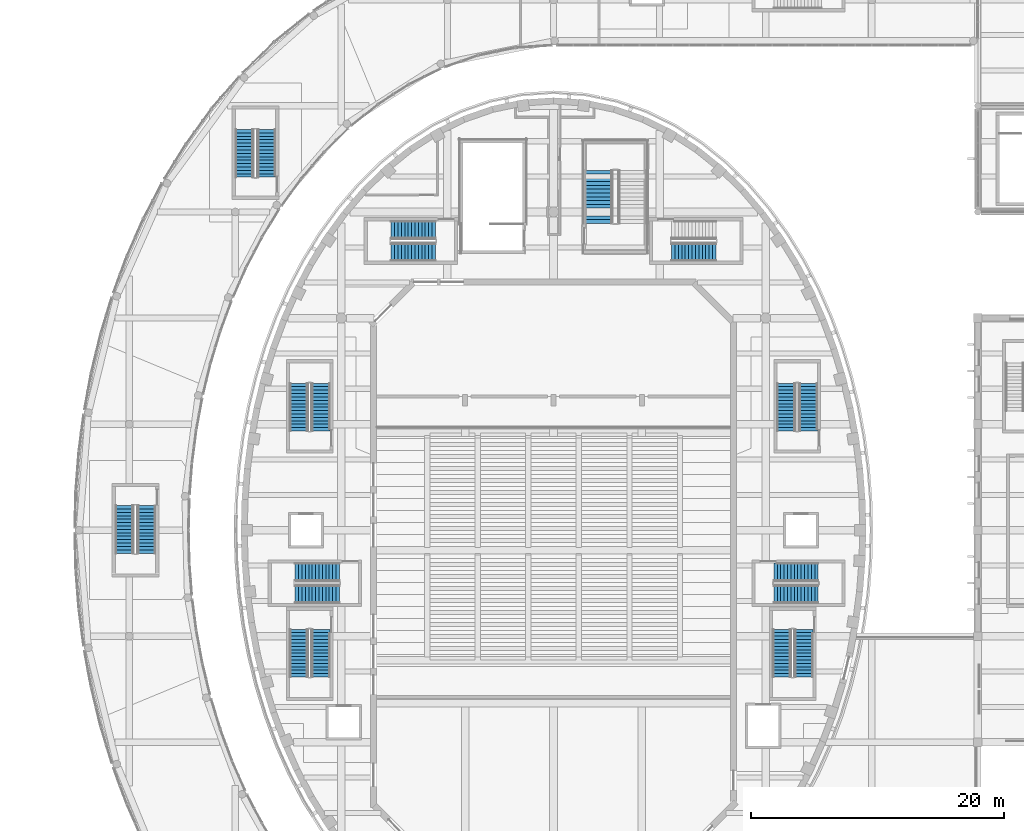
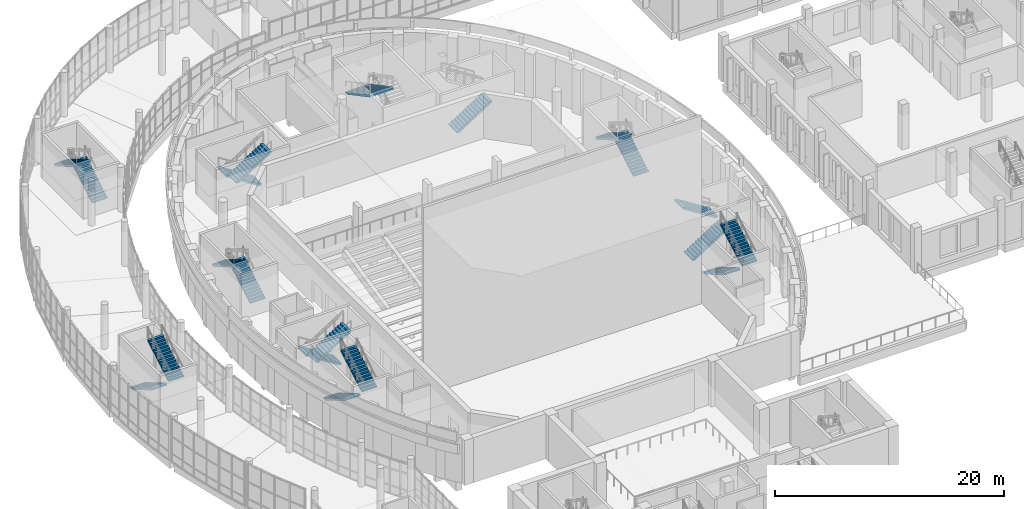
# One storey, part 73 of 119: 20 stair flights, 11 elements without a shape of their own.
"""IFC4 building model written with IfcOpenShell, lengths in metres."""

from ifc_helpers import new_model, si_unit, direction, frame, origin, place, context, subcontext, project, spatial, polyline, outline, extrude, material, type_object, element, aggregate, save


model = new_model("IFC4")

# Units and contexts
model_context = context("Model", 3, precision=1e-05, world=origin(), true_north=direction((0.0, 1.0)))
body_context = subcontext(model_context, "Body", "Model", "MODEL_VIEW")
ifc_project = project(units=[si_unit("LENGTHUNIT", "METRE"), si_unit("AREAUNIT", "SQUARE_METRE"), si_unit("VOLUMEUNIT", "CUBIC_METRE"), si_unit("PLANEANGLEUNIT", "RADIAN"), si_unit("MASSUNIT", "GRAM", prefix="KILO")], contexts=[model_context])

# Site, building, storey
site_placement = place(None, origin())
site = spatial("IfcSite", under=ifc_project, at=site_placement, CompositionType="ELEMENT")
building_placement = place(site_placement, origin())
building = spatial("IfcBuilding", under=site, at=building_placement, Name="Larchfold Concert Hall", CompositionType="ELEMENT")
storey_placement = place(building_placement, frame((0.0, 0.0, 4.800048828125)))
storey = spatial("IfcBuildingStorey", under=building, at=storey_placement, Name="L01", CompositionType="ELEMENT", Elevation=4.800048828125)

# Stair, stair flights
ifc_material_1 = material(Name="Concrete C35/45", Category="concrete")
stair_type_1 = type_object("IfcStairType", Name="Stair RC half-turn enclosed", PredefinedType="HALF_TURN_STAIR", material=ifc_material_1)
stair_1_placement = place(storey_placement, origin())
stair_1 = element("IfcStair", 1, at=stair_1_placement, inside=storey, type_object=stair_type_1, Name="Stair DS1", PredefinedType="HALF_TURN_STAIR")
ifc_material_2 = material(Name="Concrete C35/45", Category="concrete")
stair_flight_type_1 = type_object("IfcStairFlightType", Name="Stair flight RC 1500 x 160.0", PredefinedType="STRAIGHT", material=ifc_material_2)
stair_flight_1_placement = place(storey_placement, frame((62.75, 92.449951171875, 0.0), z_axis=(0.0, 0.0, 1.0), x_axis=(0.0, 1.0, 0.0)))
stair_flight_1 = element("IfcStairFlight", 2, at=stair_flight_1_placement, type_object=stair_flight_type_1, Name="ST01 flight 1", NumberOfRisers=15, NumberOfTreads=14, PredefinedType="STRAIGHT", RiserHeight=0.16, TreadLength=0.27, context=body_context, shape_type="SweptSolid", body=[
    extrude(outline(polyline([(0.0, 0.0), (0.0, 0.159912109375), (0.27001953125, 0.159912109375), (0.27001953125, 0.320068359375), (0.5400390625, 0.320068359375), (0.5400390625, 0.47998046875), (0.81005859375, 0.47998046875), (0.81005859375, 0.639892578125), (1.080078125, 0.639892578125), (1.080078125, 0.800048828125), (1.35009765625, 0.800048828125), (1.35009765625, 0.9599609375), (1.6201171875, 0.9599609375), (1.6201171875, 1.1201171875), (1.889892578125, 1.1201171875), (1.889892578125, 1.280029296875), (2.159912109375, 1.280029296875), (2.159912109375, 1.43994140625), (2.429931640625, 1.43994140625), (2.429931640625, 1.60009765625), (2.699951171875, 1.60009765625), (2.699951171875, 1.760009765625), (2.969970703125, 1.760009765625), (2.969970703125, 1.919921875), (3.239990234375, 1.919921875), (3.239990234375, 2.080078125), (3.510009765625, 2.080078125), (3.510009765625, 2.239990234375), (3.780029296875, 2.239990234375), (3.780029296875, 2.39990234375), (3.780029296875, 2.065673828125), (0.2939453125, 0.0), (0.0, 0.0)])), frame((0.0, 0.75, 0.0), z_axis=(0.0, -1.0, 0.0), x_axis=(1.0, 0.0, 0.0)), (0.0, 0.0, 1.0), 1.5),
])
stair_flight_2_placement = place(storey_placement, frame((61.050048828125, 96.22998046875, 2.39990234375), z_axis=(0.0, 0.0, 1.0), x_axis=(0.0, -1.0, 0.0)))
stair_flight_2 = element("IfcStairFlight", 3, at=stair_flight_2_placement, type_object=stair_flight_type_1, Name="ST01 flight 2", NumberOfRisers=15, NumberOfTreads=14, PredefinedType="STRAIGHT", RiserHeight=0.16, TreadLength=0.27, context=body_context, shape_type="SweptSolid", body=[
    extrude(outline(polyline([(0.0, 0.0), (0.0, 0.159912109375), (0.27001953125, 0.159912109375), (0.27001953125, 0.320068359375), (0.5400390625, 0.320068359375), (0.5400390625, 0.47998046875), (0.81005859375, 0.47998046875), (0.81005859375, 0.639892578125), (1.080078125, 0.639892578125), (1.080078125, 0.800048828125), (1.35009765625, 0.800048828125), (1.35009765625, 0.9599609375), (1.6201171875, 0.9599609375), (1.6201171875, 1.1201171875), (1.889892578125, 1.1201171875), (1.889892578125, 1.280029296875), (2.159912109375, 1.280029296875), (2.159912109375, 1.43994140625), (2.429931640625, 1.43994140625), (2.429931640625, 1.60009765625), (2.699951171875, 1.60009765625), (2.699951171875, 1.760009765625), (2.969970703125, 1.760009765625), (2.969970703125, 1.919921875), (3.239990234375, 1.919921875), (3.239990234375, 2.080078125), (3.510009765625, 2.080078125), (3.510009765625, 2.239990234375), (3.780029296875, 2.239990234375), (3.780029296875, 2.39990234375), (3.780029296875, 2.065673828125), (0.2939453125, 0.0), (0.0, 0.0)])), frame((0.0, 0.75, 0.0), z_axis=(0.0, -1.0, 0.0), x_axis=(1.0, 0.0, 0.0)), (0.0, 0.0, 1.0), 1.5),
])
aggregate(stair_1, [stair_flight_1, stair_flight_2])

stair_2_placement = place(storey_placement, origin())
stair_2 = element("IfcStair", 4, at=stair_2_placement, inside=storey, type_object=stair_type_1, Name="Stair DS4", PredefinedType="HALF_TURN_STAIR")
stair_flight_3_placement = place(storey_placement, frame((24.14990234375, 92.449951171875, 0.0), z_axis=(0.0, 0.0, 1.0), x_axis=(0.0, 1.0, 0.0)))
stair_flight_3 = element("IfcStairFlight", 5, at=stair_flight_3_placement, type_object=stair_flight_type_1, Name="ST04 flight 1", NumberOfRisers=15, NumberOfTreads=14, PredefinedType="STRAIGHT", RiserHeight=0.16, TreadLength=0.27, context=body_context, shape_type="SweptSolid", body=[
    extrude(outline(polyline([(0.0, 0.0), (0.0, 0.159912109375), (0.27001953125, 0.159912109375), (0.27001953125, 0.320068359375), (0.5400390625, 0.320068359375), (0.5400390625, 0.47998046875), (0.81005859375, 0.47998046875), (0.81005859375, 0.639892578125), (1.080078125, 0.639892578125), (1.080078125, 0.800048828125), (1.35009765625, 0.800048828125), (1.35009765625, 0.9599609375), (1.6201171875, 0.9599609375), (1.6201171875, 1.1201171875), (1.889892578125, 1.1201171875), (1.889892578125, 1.280029296875), (2.159912109375, 1.280029296875), (2.159912109375, 1.43994140625), (2.429931640625, 1.43994140625), (2.429931640625, 1.60009765625), (2.699951171875, 1.60009765625), (2.699951171875, 1.760009765625), (2.969970703125, 1.760009765625), (2.969970703125, 1.919921875), (3.239990234375, 1.919921875), (3.239990234375, 2.080078125), (3.510009765625, 2.080078125), (3.510009765625, 2.239990234375), (3.780029296875, 2.239990234375), (3.780029296875, 2.39990234375), (3.780029296875, 2.065673828125), (0.2939453125, 0.0), (0.0, 0.0)])), frame((0.0, 0.75, 0.0), z_axis=(0.0, -1.0, 0.0), x_axis=(1.0, 0.0, 0.0)), (0.0, 0.0, 1.0), 1.5),
])
stair_flight_4_placement = place(storey_placement, frame((22.449951171875, 96.22998046875, 2.39990234375), z_axis=(0.0, 0.0, 1.0), x_axis=(0.0, -1.0, 0.0)))
stair_flight_4 = element("IfcStairFlight", 6, at=stair_flight_4_placement, type_object=stair_flight_type_1, Name="ST04 flight 2", NumberOfRisers=15, NumberOfTreads=14, PredefinedType="STRAIGHT", RiserHeight=0.16, TreadLength=0.27, context=body_context, shape_type="SweptSolid", body=[
    extrude(outline(polyline([(0.0, 0.0), (0.0, 0.159912109375), (0.27001953125, 0.159912109375), (0.27001953125, 0.320068359375), (0.5400390625, 0.320068359375), (0.5400390625, 0.47998046875), (0.81005859375, 0.47998046875), (0.81005859375, 0.639892578125), (1.080078125, 0.639892578125), (1.080078125, 0.800048828125), (1.35009765625, 0.800048828125), (1.35009765625, 0.9599609375), (1.6201171875, 0.9599609375), (1.6201171875, 1.1201171875), (1.889892578125, 1.1201171875), (1.889892578125, 1.280029296875), (2.159912109375, 1.280029296875), (2.159912109375, 1.43994140625), (2.429931640625, 1.43994140625), (2.429931640625, 1.60009765625), (2.699951171875, 1.60009765625), (2.699951171875, 1.760009765625), (2.969970703125, 1.760009765625), (2.969970703125, 1.919921875), (3.239990234375, 1.919921875), (3.239990234375, 2.080078125), (3.510009765625, 2.080078125), (3.510009765625, 2.239990234375), (3.780029296875, 2.239990234375), (3.780029296875, 2.39990234375), (3.780029296875, 2.065673828125), (0.2939453125, 0.0), (0.0, 0.0)])), frame((0.0, 0.75, 0.0), z_axis=(0.0, -1.0, 0.0), x_axis=(1.0, 0.0, 0.0)), (0.0, 0.0, 1.0), 1.5),
])
aggregate(stair_2, [stair_flight_3, stair_flight_4])

stair_3_placement = place(storey_placement, origin())
stair_3 = element("IfcStair", 7, at=stair_3_placement, inside=storey, type_object=stair_type_1, Name="Stair DS5", PredefinedType="HALF_TURN_STAIR")
stair_flight_5_placement = place(storey_placement, frame((22.449951171875, 76.75, 0.0), z_axis=(0.0, 0.0, 1.0), x_axis=(0.0, -1.0, 0.0)))
stair_flight_5 = element("IfcStairFlight", 8, at=stair_flight_5_placement, type_object=stair_flight_type_1, Name="ST05 flight 1", NumberOfRisers=15, NumberOfTreads=14, PredefinedType="STRAIGHT", RiserHeight=0.16, TreadLength=0.27, context=body_context, shape_type="SweptSolid", body=[
    extrude(outline(polyline([(0.0, 0.0), (0.0, 0.159912109375), (0.27001953125, 0.159912109375), (0.27001953125, 0.320068359375), (0.5400390625, 0.320068359375), (0.5400390625, 0.47998046875), (0.81005859375, 0.47998046875), (0.81005859375, 0.639892578125), (1.080078125, 0.639892578125), (1.080078125, 0.800048828125), (1.35009765625, 0.800048828125), (1.35009765625, 0.9599609375), (1.6201171875, 0.9599609375), (1.6201171875, 1.1201171875), (1.889892578125, 1.1201171875), (1.889892578125, 1.280029296875), (2.159912109375, 1.280029296875), (2.159912109375, 1.43994140625), (2.429931640625, 1.43994140625), (2.429931640625, 1.60009765625), (2.699951171875, 1.60009765625), (2.699951171875, 1.760009765625), (2.969970703125, 1.760009765625), (2.969970703125, 1.919921875), (3.239990234375, 1.919921875), (3.239990234375, 2.080078125), (3.510009765625, 2.080078125), (3.510009765625, 2.239990234375), (3.780029296875, 2.239990234375), (3.780029296875, 2.39990234375), (3.780029296875, 2.065673828125), (0.2939453125, 0.0), (0.0, 0.0)])), frame((0.0, 0.75, 0.0), z_axis=(0.0, -1.0, 0.0), x_axis=(1.0, 0.0, 0.0)), (0.0, 0.0, 1.0), 1.5),
])
stair_flight_6_placement = place(storey_placement, frame((24.14990234375, 72.969970703125, 2.39990234375), z_axis=(0.0, 0.0, 1.0), x_axis=(0.0, 1.0, 0.0)))
stair_flight_6 = element("IfcStairFlight", 9, at=stair_flight_6_placement, type_object=stair_flight_type_1, Name="ST05 flight 2", NumberOfRisers=15, NumberOfTreads=14, PredefinedType="STRAIGHT", RiserHeight=0.16, TreadLength=0.27, context=body_context, shape_type="SweptSolid", body=[
    extrude(outline(polyline([(0.0, 0.0), (0.0, 0.159912109375), (0.27001953125, 0.159912109375), (0.27001953125, 0.320068359375), (0.5400390625, 0.320068359375), (0.5400390625, 0.47998046875), (0.81005859375, 0.47998046875), (0.81005859375, 0.639892578125), (1.080078125, 0.639892578125), (1.080078125, 0.800048828125), (1.35009765625, 0.800048828125), (1.35009765625, 0.9599609375), (1.6201171875, 0.9599609375), (1.6201171875, 1.1201171875), (1.889892578125, 1.1201171875), (1.889892578125, 1.280029296875), (2.159912109375, 1.280029296875), (2.159912109375, 1.43994140625), (2.429931640625, 1.43994140625), (2.429931640625, 1.60009765625), (2.699951171875, 1.60009765625), (2.699951171875, 1.760009765625), (2.969970703125, 1.760009765625), (2.969970703125, 1.919921875), (3.239990234375, 1.919921875), (3.239990234375, 2.080078125), (3.510009765625, 2.080078125), (3.510009765625, 2.239990234375), (3.780029296875, 2.239990234375), (3.780029296875, 2.39990234375), (3.780029296875, 2.065673828125), (0.2939453125, 0.0), (0.0, 0.0)])), frame((0.0, 0.75, 0.0), z_axis=(0.0, -1.0, 0.0), x_axis=(1.0, 0.0, 0.0)), (0.0, 0.0, 1.0), 1.5),
])
aggregate(stair_3, [stair_flight_5, stair_flight_6])

stair_4_placement = place(storey_placement, origin())
stair_4 = element("IfcStair", 10, at=stair_4_placement, inside=storey, type_object=stair_type_1, Name="Stair DS6", PredefinedType="HALF_TURN_STAIR")
stair_flight_7_placement = place(storey_placement, frame((60.699951171875, 76.75, 0.0), z_axis=(0.0, 0.0, 1.0), x_axis=(0.0, -1.0, 0.0)))
stair_flight_7 = element("IfcStairFlight", 11, at=stair_flight_7_placement, type_object=stair_flight_type_1, Name="ST06 flight 1", NumberOfRisers=15, NumberOfTreads=14, PredefinedType="STRAIGHT", RiserHeight=0.16, TreadLength=0.27, context=body_context, shape_type="SweptSolid", body=[
    extrude(outline(polyline([(0.0, 0.0), (0.0, 0.159912109375), (0.27001953125, 0.159912109375), (0.27001953125, 0.320068359375), (0.5400390625, 0.320068359375), (0.5400390625, 0.47998046875), (0.81005859375, 0.47998046875), (0.81005859375, 0.639892578125), (1.080078125, 0.639892578125), (1.080078125, 0.800048828125), (1.35009765625, 0.800048828125), (1.35009765625, 0.9599609375), (1.6201171875, 0.9599609375), (1.6201171875, 1.1201171875), (1.889892578125, 1.1201171875), (1.889892578125, 1.280029296875), (2.159912109375, 1.280029296875), (2.159912109375, 1.43994140625), (2.429931640625, 1.43994140625), (2.429931640625, 1.60009765625), (2.699951171875, 1.60009765625), (2.699951171875, 1.760009765625), (2.969970703125, 1.760009765625), (2.969970703125, 1.919921875), (3.239990234375, 1.919921875), (3.239990234375, 2.080078125), (3.510009765625, 2.080078125), (3.510009765625, 2.239990234375), (3.780029296875, 2.239990234375), (3.780029296875, 2.39990234375), (3.780029296875, 2.065673828125), (0.2939453125, 0.0), (0.0, 0.0)])), frame((0.0, 0.75, 0.0), z_axis=(0.0, -1.0, 0.0), x_axis=(1.0, 0.0, 0.0)), (0.0, 0.0, 1.0), 1.5),
])
stair_flight_8_placement = place(storey_placement, frame((62.39990234375, 72.969970703125, 2.39990234375), z_axis=(0.0, 0.0, 1.0), x_axis=(0.0, 1.0, 0.0)))
stair_flight_8 = element("IfcStairFlight", 12, at=stair_flight_8_placement, type_object=stair_flight_type_1, Name="ST06 flight 2", NumberOfRisers=15, NumberOfTreads=14, PredefinedType="STRAIGHT", RiserHeight=0.16, TreadLength=0.27, context=body_context, shape_type="SweptSolid", body=[
    extrude(outline(polyline([(0.0, 0.0), (0.0, 0.159912109375), (0.27001953125, 0.159912109375), (0.27001953125, 0.320068359375), (0.5400390625, 0.320068359375), (0.5400390625, 0.47998046875), (0.81005859375, 0.47998046875), (0.81005859375, 0.639892578125), (1.080078125, 0.639892578125), (1.080078125, 0.800048828125), (1.35009765625, 0.800048828125), (1.35009765625, 0.9599609375), (1.6201171875, 0.9599609375), (1.6201171875, 1.1201171875), (1.889892578125, 1.1201171875), (1.889892578125, 1.280029296875), (2.159912109375, 1.280029296875), (2.159912109375, 1.43994140625), (2.429931640625, 1.43994140625), (2.429931640625, 1.60009765625), (2.699951171875, 1.60009765625), (2.699951171875, 1.760009765625), (2.969970703125, 1.760009765625), (2.969970703125, 1.919921875), (3.239990234375, 1.919921875), (3.239990234375, 2.080078125), (3.510009765625, 2.080078125), (3.510009765625, 2.239990234375), (3.780029296875, 2.239990234375), (3.780029296875, 2.39990234375), (3.780029296875, 2.065673828125), (0.2939453125, 0.0), (0.0, 0.0)])), frame((0.0, 0.75, 0.0), z_axis=(0.0, -1.0, 0.0), x_axis=(1.0, 0.0, 0.0)), (0.0, 0.0, 1.0), 1.5),
])
aggregate(stair_4, [stair_flight_7, stair_flight_8])

stair_5_placement = place(storey_placement, origin())
stair_5 = element("IfcStair", 13, at=stair_5_placement, inside=storey, type_object=stair_type_1, Name="Stair WG2", PredefinedType="HALF_TURN_STAIR")
stair_flight_9_placement = place(storey_placement, frame((8.64990234375, 86.550048828125, 0.0), z_axis=(0.0, 0.0, 1.0), x_axis=(0.0, -1.0, 0.0)))
stair_flight_9 = element("IfcStairFlight", 14, at=stair_flight_9_placement, type_object=stair_flight_type_1, Name="ST24 flight 1", NumberOfRisers=15, NumberOfTreads=14, PredefinedType="STRAIGHT", RiserHeight=0.16, TreadLength=0.27, context=body_context, shape_type="SweptSolid", body=[
    extrude(outline(polyline([(0.0, 0.0), (0.0, 0.159912109375), (0.27001953125, 0.159912109375), (0.27001953125, 0.320068359375), (0.5400390625, 0.320068359375), (0.5400390625, 0.47998046875), (0.81005859375, 0.47998046875), (0.81005859375, 0.639892578125), (1.080078125, 0.639892578125), (1.080078125, 0.800048828125), (1.35009765625, 0.800048828125), (1.35009765625, 0.9599609375), (1.6201171875, 0.9599609375), (1.6201171875, 1.1201171875), (1.889892578125, 1.1201171875), (1.889892578125, 1.280029296875), (2.159912109375, 1.280029296875), (2.159912109375, 1.43994140625), (2.429931640625, 1.43994140625), (2.429931640625, 1.60009765625), (2.699951171875, 1.60009765625), (2.699951171875, 1.760009765625), (2.969970703125, 1.760009765625), (2.969970703125, 1.919921875), (3.239990234375, 1.919921875), (3.239990234375, 2.080078125), (3.510009765625, 2.080078125), (3.510009765625, 2.239990234375), (3.780029296875, 2.239990234375), (3.780029296875, 2.39990234375), (3.780029296875, 2.065673828125), (0.2939453125, 0.0), (0.0, 0.0)])), frame((0.0, 0.75, 0.0), z_axis=(0.0, -1.0, 0.0), x_axis=(1.0, 0.0, 0.0)), (0.0, 0.0, 1.0), 1.5),
])
stair_flight_10_placement = place(storey_placement, frame((10.349853515625, 82.77001953125, 2.39990234375), z_axis=(0.0, 0.0, 1.0), x_axis=(0.0, 1.0, 0.0)))
stair_flight_10 = element("IfcStairFlight", 15, at=stair_flight_10_placement, type_object=stair_flight_type_1, Name="ST24 flight 2", NumberOfRisers=15, NumberOfTreads=14, PredefinedType="STRAIGHT", RiserHeight=0.16, TreadLength=0.27, context=body_context, shape_type="SweptSolid", body=[
    extrude(outline(polyline([(0.0, 0.0), (0.0, 0.159912109375), (0.27001953125, 0.159912109375), (0.27001953125, 0.320068359375), (0.5400390625, 0.320068359375), (0.5400390625, 0.47998046875), (0.81005859375, 0.47998046875), (0.81005859375, 0.639892578125), (1.080078125, 0.639892578125), (1.080078125, 0.800048828125), (1.35009765625, 0.800048828125), (1.35009765625, 0.9599609375), (1.6201171875, 0.9599609375), (1.6201171875, 1.1201171875), (1.889892578125, 1.1201171875), (1.889892578125, 1.280029296875), (2.159912109375, 1.280029296875), (2.159912109375, 1.43994140625), (2.429931640625, 1.43994140625), (2.429931640625, 1.60009765625), (2.699951171875, 1.60009765625), (2.699951171875, 1.760009765625), (2.969970703125, 1.760009765625), (2.969970703125, 1.919921875), (3.239990234375, 1.919921875), (3.239990234375, 2.080078125), (3.510009765625, 2.080078125), (3.510009765625, 2.239990234375), (3.780029296875, 2.239990234375), (3.780029296875, 2.39990234375), (3.780029296875, 2.065673828125), (0.2939453125, 0.0), (0.0, 0.0)])), frame((0.0, 0.75, 0.0), z_axis=(0.0, -1.0, 0.0), x_axis=(1.0, 0.0, 0.0)), (0.0, 0.0, 1.0), 1.5),
])
aggregate(stair_5, [stair_flight_9, stair_flight_10])

stair_6_placement = place(storey_placement, origin())
stair_6 = element("IfcStair", 16, at=stair_6_placement, inside=storey, type_object=stair_type_1, Name="Stair WG3", PredefinedType="HALF_TURN_STAIR")
stair_flight_11_placement = place(storey_placement, frame((19.85009765625, 112.550048828125, 0.0), z_axis=(0.0, 0.0, 1.0), x_axis=(0.0, 1.0, 0.0)))
stair_flight_11 = element("IfcStairFlight", 17, at=stair_flight_11_placement, type_object=stair_flight_type_1, Name="ST25 flight 1", NumberOfRisers=15, NumberOfTreads=14, PredefinedType="STRAIGHT", RiserHeight=0.16, TreadLength=0.27, context=body_context, shape_type="SweptSolid", body=[
    extrude(outline(polyline([(0.0, 0.0), (0.0, 0.159912109375), (0.27001953125, 0.159912109375), (0.27001953125, 0.320068359375), (0.5400390625, 0.320068359375), (0.5400390625, 0.47998046875), (0.81005859375, 0.47998046875), (0.81005859375, 0.639892578125), (1.080078125, 0.639892578125), (1.080078125, 0.800048828125), (1.35009765625, 0.800048828125), (1.35009765625, 0.9599609375), (1.6201171875, 0.9599609375), (1.6201171875, 1.1201171875), (1.889892578125, 1.1201171875), (1.889892578125, 1.280029296875), (2.159912109375, 1.280029296875), (2.159912109375, 1.43994140625), (2.429931640625, 1.43994140625), (2.429931640625, 1.60009765625), (2.699951171875, 1.60009765625), (2.699951171875, 1.760009765625), (2.969970703125, 1.760009765625), (2.969970703125, 1.919921875), (3.239990234375, 1.919921875), (3.239990234375, 2.080078125), (3.510009765625, 2.080078125), (3.510009765625, 2.239990234375), (3.780029296875, 2.239990234375), (3.780029296875, 2.39990234375), (3.780029296875, 2.065673828125), (0.2939453125, 0.0), (0.0, 0.0)])), frame((0.0, 0.75, 0.0), z_axis=(0.0, -1.0, 0.0), x_axis=(1.0, 0.0, 0.0)), (0.0, 0.0, 1.0), 1.5),
])
stair_flight_12_placement = place(storey_placement, frame((18.150146484375, 116.330078125, 2.39990234375), z_axis=(0.0, 0.0, 1.0), x_axis=(0.0, -1.0, 0.0)))
stair_flight_12 = element("IfcStairFlight", 18, at=stair_flight_12_placement, type_object=stair_flight_type_1, Name="ST25 flight 2", NumberOfRisers=15, NumberOfTreads=14, PredefinedType="STRAIGHT", RiserHeight=0.16, TreadLength=0.27, context=body_context, shape_type="SweptSolid", body=[
    extrude(outline(polyline([(0.0, 0.0), (0.0, 0.159912109375), (0.27001953125, 0.159912109375), (0.27001953125, 0.320068359375), (0.5400390625, 0.320068359375), (0.5400390625, 0.47998046875), (0.81005859375, 0.47998046875), (0.81005859375, 0.639892578125), (1.080078125, 0.639892578125), (1.080078125, 0.800048828125), (1.35009765625, 0.800048828125), (1.35009765625, 0.9599609375), (1.6201171875, 0.9599609375), (1.6201171875, 1.1201171875), (1.889892578125, 1.1201171875), (1.889892578125, 1.280029296875), (2.159912109375, 1.280029296875), (2.159912109375, 1.43994140625), (2.429931640625, 1.43994140625), (2.429931640625, 1.60009765625), (2.699951171875, 1.60009765625), (2.699951171875, 1.760009765625), (2.969970703125, 1.760009765625), (2.969970703125, 1.919921875), (3.239990234375, 1.919921875), (3.239990234375, 2.080078125), (3.510009765625, 2.080078125), (3.510009765625, 2.239990234375), (3.780029296875, 2.239990234375), (3.780029296875, 2.39990234375), (3.780029296875, 2.065673828125), (0.2939453125, 0.0), (0.0, 0.0)])), frame((0.0, 0.75, 0.0), z_axis=(0.0, -1.0, 0.0), x_axis=(1.0, 0.0, 0.0)), (0.0, 0.0, 1.0), 1.5),
])
aggregate(stair_6, [stair_flight_11, stair_flight_12])

# Stair, stair flight
stair_7_placement = place(storey_placement, origin())
stair_7 = element("IfcStair", 19, at=stair_7_placement, inside=storey, type_object=stair_type_1, Name="Stair DS2", PredefinedType="HALF_TURN_STAIR")
ifc_material_3 = material(Name="Concrete C35/45", Category="concrete")
stair_flight_type_2 = type_object("IfcStairFlightType", Name="Stair flight RC 1500 x 171.4", PredefinedType="STRAIGHT", material=ifc_material_3)
stair_flight_13_placement = place(storey_placement, frame((51.949951171875, 106.64990234375, 0.0), z_axis=(0.0, 0.0, 1.0), x_axis=(1.0, 0.0, 0.0)))
stair_flight_13 = element("IfcStairFlight", 20, at=stair_flight_13_placement, type_object=stair_flight_type_2, Name="ST02 flight 1", NumberOfRisers=14, NumberOfTreads=13, PredefinedType="STRAIGHT", RiserHeight=0.171428571, TreadLength=0.27, context=body_context, shape_type="SweptSolid", body=[
    extrude(outline(polyline([(0.0, 0.0), (0.0, 0.17138671875), (0.27001953125, 0.17138671875), (0.27001953125, 0.3427734375), (0.5400390625, 0.3427734375), (0.5400390625, 0.514404296875), (0.81005859375, 0.514404296875), (0.81005859375, 0.685791015625), (1.080078125, 0.685791015625), (1.080078125, 0.857177734375), (1.35009765625, 0.857177734375), (1.35009765625, 1.028564453125), (1.6201171875, 1.028564453125), (1.6201171875, 1.199951171875), (1.889892578125, 1.199951171875), (1.889892578125, 1.371337890625), (2.159912109375, 1.371337890625), (2.159912109375, 1.54296875), (2.429931640625, 1.54296875), (2.429931640625, 1.71435546875), (2.699951171875, 1.71435546875), (2.699951171875, 1.8857421875), (2.969970703125, 1.8857421875), (2.969970703125, 2.05712890625), (3.239990234375, 2.05712890625), (3.239990234375, 2.228515625), (3.510009765625, 2.228515625), (3.510009765625, 2.39990234375), (3.510009765625, 2.051025390625), (0.27978515625, 0.0), (0.0, 0.0)])), frame((0.0, 0.75, 0.0), z_axis=(0.0, -1.0, 0.0), x_axis=(1.0, 0.0, 0.0)), (0.0, 0.0, 1.0), 1.5),
])
aggregate(stair_7, [stair_flight_13])

# Stair, stair flights
stair_8_placement = place(storey_placement, origin())
stair_8 = element("IfcStair", 21, at=stair_8_placement, inside=storey, type_object=stair_type_1, Name="Stair DS3", PredefinedType="HALF_TURN_STAIR")
stair_flight_14_placement = place(storey_placement, frame((33.25, 108.35009765625, 0.0), z_axis=(0.0, 0.0, 1.0), x_axis=(-1.0, 0.0, 0.0)))
stair_flight_14 = element("IfcStairFlight", 22, at=stair_flight_14_placement, type_object=stair_flight_type_2, Name="ST03 flight 1", NumberOfRisers=14, NumberOfTreads=13, PredefinedType="STRAIGHT", RiserHeight=0.171428571, TreadLength=0.27, context=body_context, shape_type="SweptSolid", body=[
    extrude(outline(polyline([(0.0, 0.0), (0.0, 0.17138671875), (0.27001953125, 0.17138671875), (0.27001953125, 0.3427734375), (0.5400390625, 0.3427734375), (0.5400390625, 0.514404296875), (0.81005859375, 0.514404296875), (0.81005859375, 0.685791015625), (1.080078125, 0.685791015625), (1.080078125, 0.857177734375), (1.35009765625, 0.857177734375), (1.35009765625, 1.028564453125), (1.6201171875, 1.028564453125), (1.6201171875, 1.199951171875), (1.889892578125, 1.199951171875), (1.889892578125, 1.371337890625), (2.159912109375, 1.371337890625), (2.159912109375, 1.54296875), (2.429931640625, 1.54296875), (2.429931640625, 1.71435546875), (2.699951171875, 1.71435546875), (2.699951171875, 1.8857421875), (2.969970703125, 1.8857421875), (2.969970703125, 2.05712890625), (3.239990234375, 2.05712890625), (3.239990234375, 2.228515625), (3.510009765625, 2.228515625), (3.510009765625, 2.39990234375), (3.510009765625, 2.051025390625), (0.27978515625, 0.0), (0.0, 0.0)])), frame((0.0, 0.75, 0.0), z_axis=(0.0, -1.0, 0.0), x_axis=(1.0, 0.0, 0.0)), (0.0, 0.0, 1.0), 1.5),
])
stair_flight_15_placement = place(storey_placement, frame((29.739990234375, 106.650146484375, 2.39990234375), z_axis=(0.0, 0.0, 1.0), x_axis=(1.0, 0.0, 0.0)))
stair_flight_15 = element("IfcStairFlight", 23, at=stair_flight_15_placement, type_object=stair_flight_type_2, Name="ST03 flight 2", NumberOfRisers=14, NumberOfTreads=13, PredefinedType="STRAIGHT", RiserHeight=0.171428571, TreadLength=0.27, context=body_context, shape_type="SweptSolid", body=[
    extrude(outline(polyline([(0.0, 0.0), (0.0, 0.17138671875), (0.27001953125, 0.17138671875), (0.27001953125, 0.3427734375), (0.5400390625, 0.3427734375), (0.5400390625, 0.514404296875), (0.81005859375, 0.514404296875), (0.81005859375, 0.685791015625), (1.080078125, 0.685791015625), (1.080078125, 0.857177734375), (1.35009765625, 0.857177734375), (1.35009765625, 1.028564453125), (1.6201171875, 1.028564453125), (1.6201171875, 1.199951171875), (1.889892578125, 1.199951171875), (1.889892578125, 1.371337890625), (2.159912109375, 1.371337890625), (2.159912109375, 1.54296875), (2.429931640625, 1.54296875), (2.429931640625, 1.71435546875), (2.699951171875, 1.71435546875), (2.699951171875, 1.8857421875), (2.969970703125, 1.8857421875), (2.969970703125, 2.05712890625), (3.239990234375, 2.05712890625), (3.239990234375, 2.228515625), (3.510009765625, 2.228515625), (3.510009765625, 2.39990234375), (3.510009765625, 2.051025390625), (0.27978515625, 0.0), (0.0, 0.0)])), frame((0.0, 0.75, 0.0), z_axis=(0.0, -1.0, 0.0), x_axis=(1.0, 0.0, 0.0)), (0.0, 0.0, 1.0), 1.5),
])
aggregate(stair_8, [stair_flight_14, stair_flight_15])

stair_9_placement = place(storey_placement, origin())
stair_9 = element("IfcStair", 24, at=stair_9_placement, inside=storey, type_object=stair_type_1, Name="Stair DS7", PredefinedType="HALF_TURN_STAIR")
stair_flight_16_placement = place(storey_placement, frame((25.64990234375, 81.25, 0.0), z_axis=(0.0, 0.0, 1.0), x_axis=(-1.0, 0.0, 0.0)))
stair_flight_16 = element("IfcStairFlight", 25, at=stair_flight_16_placement, type_object=stair_flight_type_2, Name="ST07 flight 1", NumberOfRisers=14, NumberOfTreads=13, PredefinedType="STRAIGHT", RiserHeight=0.171428571, TreadLength=0.27, context=body_context, shape_type="SweptSolid", body=[
    extrude(outline(polyline([(0.0, 0.0), (0.0, 0.17138671875), (0.27001953125, 0.17138671875), (0.27001953125, 0.3427734375), (0.5400390625, 0.3427734375), (0.5400390625, 0.514404296875), (0.81005859375, 0.514404296875), (0.81005859375, 0.685791015625), (1.080078125, 0.685791015625), (1.080078125, 0.857177734375), (1.35009765625, 0.857177734375), (1.35009765625, 1.028564453125), (1.6201171875, 1.028564453125), (1.6201171875, 1.199951171875), (1.889892578125, 1.199951171875), (1.889892578125, 1.371337890625), (2.159912109375, 1.371337890625), (2.159912109375, 1.54296875), (2.429931640625, 1.54296875), (2.429931640625, 1.71435546875), (2.699951171875, 1.71435546875), (2.699951171875, 1.8857421875), (2.969970703125, 1.8857421875), (2.969970703125, 2.05712890625), (3.239990234375, 2.05712890625), (3.239990234375, 2.228515625), (3.510009765625, 2.228515625), (3.510009765625, 2.39990234375), (3.510009765625, 2.051025390625), (0.27978515625, 0.0), (0.0, 0.0)])), frame((0.0, 0.75, 0.0), z_axis=(0.0, -1.0, 0.0), x_axis=(1.0, 0.0, 0.0)), (0.0, 0.0, 1.0), 1.5),
])
stair_flight_17_placement = place(storey_placement, frame((22.139892578125, 79.550048828125, 2.39990234375), z_axis=(0.0, 0.0, 1.0), x_axis=(1.0, 0.0, 0.0)))
stair_flight_17 = element("IfcStairFlight", 26, at=stair_flight_17_placement, type_object=stair_flight_type_2, Name="ST07 flight 2", NumberOfRisers=14, NumberOfTreads=13, PredefinedType="STRAIGHT", RiserHeight=0.171428571, TreadLength=0.27, context=body_context, shape_type="SweptSolid", body=[
    extrude(outline(polyline([(0.0, 0.0), (0.0, 0.17138671875), (0.27001953125, 0.17138671875), (0.27001953125, 0.3427734375), (0.5400390625, 0.3427734375), (0.5400390625, 0.514404296875), (0.81005859375, 0.514404296875), (0.81005859375, 0.685791015625), (1.080078125, 0.685791015625), (1.080078125, 0.857177734375), (1.35009765625, 0.857177734375), (1.35009765625, 1.028564453125), (1.6201171875, 1.028564453125), (1.6201171875, 1.199951171875), (1.889892578125, 1.199951171875), (1.889892578125, 1.371337890625), (2.159912109375, 1.371337890625), (2.159912109375, 1.54296875), (2.429931640625, 1.54296875), (2.429931640625, 1.71435546875), (2.699951171875, 1.71435546875), (2.699951171875, 1.8857421875), (2.969970703125, 1.8857421875), (2.969970703125, 2.05712890625), (3.239990234375, 2.05712890625), (3.239990234375, 2.228515625), (3.510009765625, 2.228515625), (3.510009765625, 2.39990234375), (3.510009765625, 2.051025390625), (0.27978515625, 0.0), (0.0, 0.0)])), frame((0.0, 0.75, 0.0), z_axis=(0.0, -1.0, 0.0), x_axis=(1.0, 0.0, 0.0)), (0.0, 0.0, 1.0), 1.5),
])
aggregate(stair_9, [stair_flight_16, stair_flight_17])

stair_10_placement = place(storey_placement, origin())
stair_10 = element("IfcStair", 27, at=stair_10_placement, inside=storey, type_object=stair_type_1, Name="Stair DS8", PredefinedType="HALF_TURN_STAIR")
stair_flight_18_placement = place(storey_placement, frame((60.050048828125, 79.550048828125, 0.0), z_axis=(0.0, 0.0, 1.0), x_axis=(1.0, 0.0, 0.0)))
stair_flight_18 = element("IfcStairFlight", 28, at=stair_flight_18_placement, type_object=stair_flight_type_2, Name="ST08 flight 1", NumberOfRisers=14, NumberOfTreads=13, PredefinedType="STRAIGHT", RiserHeight=0.171428571, TreadLength=0.27, context=body_context, shape_type="SweptSolid", body=[
    extrude(outline(polyline([(0.0, 0.0), (0.0, 0.17138671875), (0.27001953125, 0.17138671875), (0.27001953125, 0.3427734375), (0.5400390625, 0.3427734375), (0.5400390625, 0.514404296875), (0.81005859375, 0.514404296875), (0.81005859375, 0.685791015625), (1.080078125, 0.685791015625), (1.080078125, 0.857177734375), (1.35009765625, 0.857177734375), (1.35009765625, 1.028564453125), (1.6201171875, 1.028564453125), (1.6201171875, 1.199951171875), (1.889892578125, 1.199951171875), (1.889892578125, 1.371337890625), (2.159912109375, 1.371337890625), (2.159912109375, 1.54296875), (2.429931640625, 1.54296875), (2.429931640625, 1.71435546875), (2.699951171875, 1.71435546875), (2.699951171875, 1.8857421875), (2.969970703125, 1.8857421875), (2.969970703125, 2.05712890625), (3.239990234375, 2.05712890625), (3.239990234375, 2.228515625), (3.510009765625, 2.228515625), (3.510009765625, 2.39990234375), (3.510009765625, 2.051025390625), (0.27978515625, 0.0), (0.0, 0.0)])), frame((0.0, 0.75, 0.0), z_axis=(0.0, -1.0, 0.0), x_axis=(1.0, 0.0, 0.0)), (0.0, 0.0, 1.0), 1.5),
])
stair_flight_19_placement = place(storey_placement, frame((63.56005859375, 81.25, 2.39990234375), z_axis=(0.0, 0.0, 1.0), x_axis=(-1.0, 0.0, 0.0)))
stair_flight_19 = element("IfcStairFlight", 29, at=stair_flight_19_placement, type_object=stair_flight_type_2, Name="ST08 flight 2", NumberOfRisers=14, NumberOfTreads=13, PredefinedType="STRAIGHT", RiserHeight=0.171428571, TreadLength=0.27, context=body_context, shape_type="SweptSolid", body=[
    extrude(outline(polyline([(0.0, 0.0), (0.0, 0.17138671875), (0.27001953125, 0.17138671875), (0.27001953125, 0.3427734375), (0.5400390625, 0.3427734375), (0.5400390625, 0.514404296875), (0.81005859375, 0.514404296875), (0.81005859375, 0.685791015625), (1.080078125, 0.685791015625), (1.080078125, 0.857177734375), (1.35009765625, 0.857177734375), (1.35009765625, 1.028564453125), (1.6201171875, 1.028564453125), (1.6201171875, 1.199951171875), (1.889892578125, 1.199951171875), (1.889892578125, 1.371337890625), (2.159912109375, 1.371337890625), (2.159912109375, 1.54296875), (2.429931640625, 1.54296875), (2.429931640625, 1.71435546875), (2.699951171875, 1.71435546875), (2.699951171875, 1.8857421875), (2.969970703125, 1.8857421875), (2.969970703125, 2.05712890625), (3.239990234375, 2.05712890625), (3.239990234375, 2.228515625), (3.510009765625, 2.228515625), (3.510009765625, 2.39990234375), (3.510009765625, 2.051025390625), (0.27978515625, 0.0), (0.0, 0.0)])), frame((0.0, 0.75, 0.0), z_axis=(0.0, -1.0, 0.0), x_axis=(1.0, 0.0, 0.0)), (0.0, 0.0, 1.0), 1.5),
])
aggregate(stair_10, [stair_flight_18, stair_flight_19])

# Stair, stair flight
ifc_material_4 = material(Name="Concrete C35/45", Category="concrete")
stair_type_2 = type_object("IfcStairType", Name="Stair RC half-turn open", PredefinedType="HALF_TURN_STAIR", material=ifc_material_4)
stair_11_placement = place(storey_placement, origin())
stair_11 = element("IfcStair", 30, at=stair_11_placement, inside=storey, type_object=stair_type_2, Name="Stair PS2", PredefinedType="HALF_TURN_STAIR")
ifc_material_5 = material(Name="Concrete C35/45", Category="concrete")
stair_flight_type_3 = type_object("IfcStairFlightType", Name="Stair flight RC 2400 x 160.0", PredefinedType="STRAIGHT", material=ifc_material_5)
stair_flight_20_placement = place(storey_placement, frame((46.10009765625, 113.10009765625, 2.39990234375), z_axis=(0.0, 0.0, 1.0), x_axis=(0.0, -1.0, 0.0)))
stair_flight_20 = element("IfcStairFlight", 31, at=stair_flight_20_placement, type_object=stair_flight_type_3, Name="ST28 flight 2", NumberOfRisers=15, NumberOfTreads=14, PredefinedType="STRAIGHT", RiserHeight=0.16, TreadLength=0.3, context=body_context, shape_type="SweptSolid", body=[
    extrude(outline(polyline([(0.0, 0.0), (0.0, 0.159912109375), (0.300048828125, 0.159912109375), (0.300048828125, 0.320068359375), (0.60009765625, 0.320068359375), (0.60009765625, 0.47998046875), (0.89990234375, 0.47998046875), (0.89990234375, 0.639892578125), (1.199951171875, 0.639892578125), (1.199951171875, 0.800048828125), (1.5, 0.800048828125), (1.5, 0.9599609375), (1.800048828125, 0.9599609375), (1.800048828125, 1.1201171875), (2.10009765625, 1.1201171875), (2.10009765625, 1.280029296875), (2.39990234375, 1.280029296875), (2.39990234375, 1.43994140625), (2.699951171875, 1.43994140625), (2.699951171875, 1.60009765625), (3.0, 1.60009765625), (3.0, 1.760009765625), (3.300048828125, 1.760009765625), (3.300048828125, 1.919921875), (3.60009765625, 1.919921875), (3.60009765625, 2.080078125), (3.89990234375, 2.080078125), (3.89990234375, 2.239990234375), (4.199951171875, 2.239990234375), (4.199951171875, 2.39990234375), (4.199951171875, 2.070068359375), (0.318603515625, 0.0), (0.0, 0.0)])), frame((0.0, 1.199951171875, 0.0), z_axis=(0.0, -1.0, 0.0), x_axis=(1.0, 0.0, 0.0)), (0.0, 0.0, 1.0), 2.39990234375),
])
aggregate(stair_11, [stair_flight_20])

save(model, "model.ifc")
